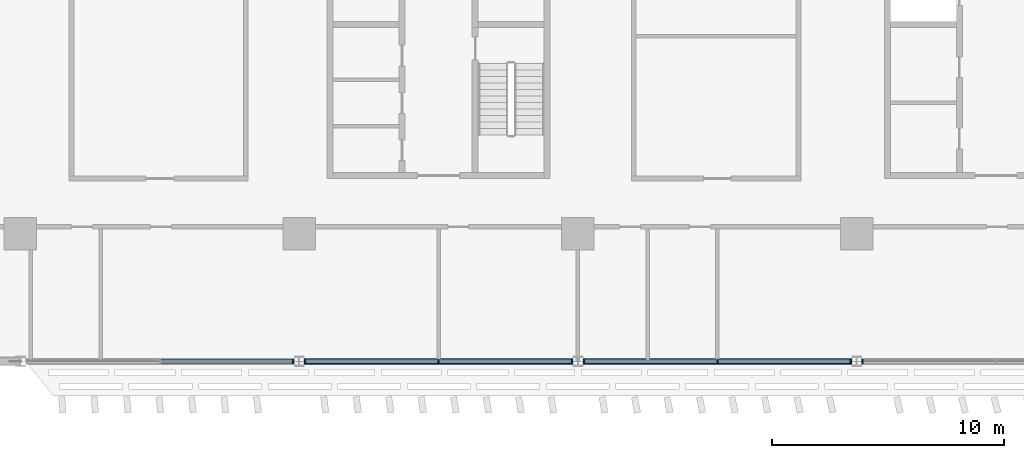
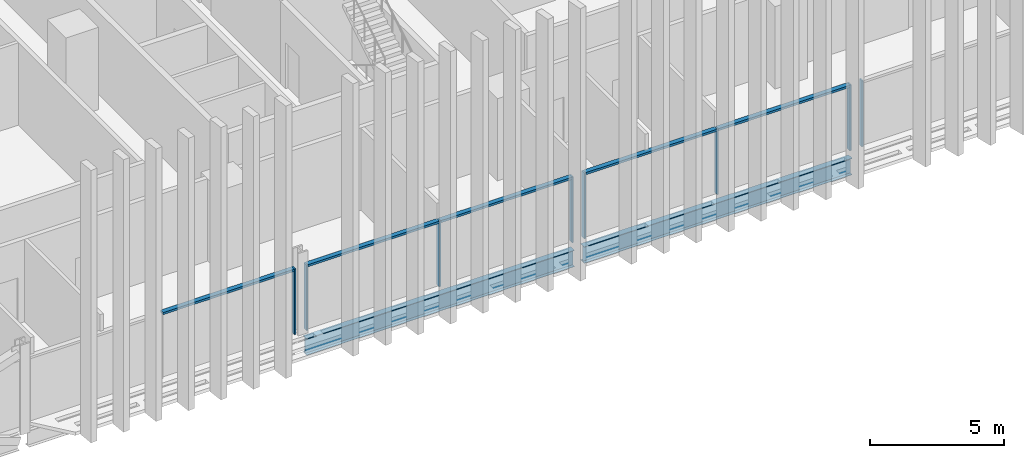
# One storey, part 5 of 31: 13 members, 2 beams, 4 elements without a shape of their own.
"""IFC4 building model written with IfcOpenShell, lengths in metres."""

from ifc_helpers import new_model, si_unit, direction, frame, origin, origin_2d, place, context, subcontext, project, spatial, rectangle, i_section, extrude, material, material_profile, profile_set, type_object, element, aggregate, save


model = new_model("IFC4")

# Units and contexts
model_context = context("Model", 3, precision=1e-05, world=origin(), true_north=direction((0.0, 1.0)))
body_context = subcontext(model_context, "Body", "Model", "MODEL_VIEW")
ifc_project = project(units=[si_unit("LENGTHUNIT", "METRE"), si_unit("AREAUNIT", "SQUARE_METRE"), si_unit("VOLUMEUNIT", "CUBIC_METRE"), si_unit("PLANEANGLEUNIT", "RADIAN"), si_unit("MASSUNIT", "GRAM", prefix="KILO")], contexts=[model_context])

# Site, building, storey
site_placement = place(None, origin())
site = spatial("IfcSite", under=ifc_project, at=site_placement, CompositionType="ELEMENT")
building_placement = place(site_placement, origin())
building = spatial("IfcBuilding", under=site, at=building_placement, Name="Mahtab Terrace Research Tower", CompositionType="ELEMENT")
storey_placement = place(building_placement, frame((0.0, 0.0, 101.199951171875)))
storey = spatial("IfcBuildingStorey", under=building, at=storey_placement, Name="L23", CompositionType="ELEMENT", Elevation=101.199951171875)

# Curtain wall, member
ifc_material_1 = material(Name="Laboratory ribbon curtain wall")
curtain_wall_type = type_object("IfcCurtainWallType", Name="Laboratory ribbon curtain wall", PredefinedType="NOTDEFINED", material=ifc_material_1)
curtain_wall_1_placement = place(storey_placement, origin())
curtain_wall_1 = element("IfcCurtainWall", 1, at=curtain_wall_1_placement, inside=storey, type_object=curtain_wall_type, Name="EN.L23.13.25", PredefinedType="NOTDEFINED")
ifc_material_2 = material(Name="Natural anodised aluminium", Category="aluminium")
ifc_material_profile_1 = material_profile(ifc_material_2, rectangle(XDim=0.199951171875, YDim=0.06494140625, at=origin_2d()), Name="MULLION 65x200")
ifc_profile_set_1 = profile_set([ifc_material_profile_1], Name="Natural anodised aluminium")
member_type_1 = type_object("IfcMemberType", Name="Laboratory ribbon curtain wall mullion", PredefinedType="MULLION", material=ifc_profile_set_1)
member_1_placement = place(storey_placement, frame((-6.260498046875, -17.0, 0.0), z_axis=(0.0, 0.0, 1.0), x_axis=(0.0, 1.0, 0.0)))
member_1 = element("IfcMember", 2, at=member_1_placement, type_object=member_type_1, Name="CWL-3 mullion 3", PredefinedType="MULLION", context=body_context, shape_type="SweptSolid", body=[
    extrude(rectangle(XDim=0.199951171875, YDim=0.06494140625, at=origin_2d()), origin(), (0.0, 0.0, 1.0), 3.003173828125),
])

# Curtain wall, members
curtain_wall_2_placement = place(storey_placement, origin())
curtain_wall_2 = element("IfcCurtainWall", 3, at=curtain_wall_2_placement, inside=storey, type_object=curtain_wall_type, Name="EN.L23.13.26", PredefinedType="NOTDEFINED")
member_2_placement = place(storey_placement, frame((-5.739501953125, -17.0, 0.0), z_axis=(0.0, 0.0, 1.0), x_axis=(0.0, 1.0, 0.0)))
member_2 = element("IfcMember", 4, at=member_2_placement, type_object=member_type_1, Name="CWL-3 mullion 1", PredefinedType="MULLION", context=body_context, shape_type="SweptSolid", body=[
    extrude(rectangle(XDim=0.199951171875, YDim=0.06494140625, at=origin_2d()), origin(), (0.0, 0.0, 1.0), 3.003173828125),
])
member_3_placement = place(storey_placement, frame((0.0, -17.0, 0.0), z_axis=(0.0, 0.0, 1.0), x_axis=(0.0, 1.0, 0.0)))
member_3 = element("IfcMember", 5, at=member_3_placement, type_object=member_type_1, Name="CWL-3 mullion 2", PredefinedType="MULLION", context=body_context, shape_type="SweptSolid", body=[
    extrude(rectangle(XDim=0.199951171875, YDim=0.06494140625, at=origin_2d()), origin(), (0.0, 0.0, 1.0), 3.003173828125),
])
member_4_placement = place(storey_placement, frame((5.739501953125, -17.0, 0.0), z_axis=(0.0, 0.0, 1.0), x_axis=(0.0, 1.0, 0.0)))
member_4 = element("IfcMember", 6, at=member_4_placement, type_object=member_type_1, Name="CWL-3 mullion 3", PredefinedType="MULLION", context=body_context, shape_type="SweptSolid", body=[
    extrude(rectangle(XDim=0.199951171875, YDim=0.06494140625, at=origin_2d()), origin(), (0.0, 0.0, 1.0), 3.003173828125),
])

curtain_wall_3_placement = place(storey_placement, origin())
curtain_wall_3 = element("IfcCurtainWall", 7, at=curtain_wall_3_placement, inside=storey, type_object=curtain_wall_type, Name="EN.L23.13.27", PredefinedType="NOTDEFINED")
member_5_placement = place(storey_placement, frame((6.260498046875, -17.0, 0.0), z_axis=(0.0, 0.0, 1.0), x_axis=(0.0, 1.0, 0.0)))
member_5 = element("IfcMember", 8, at=member_5_placement, type_object=member_type_1, Name="CWL-3 mullion 1", PredefinedType="MULLION", context=body_context, shape_type="SweptSolid", body=[
    extrude(rectangle(XDim=0.199951171875, YDim=0.06494140625, at=origin_2d()), origin(), (0.0, 0.0, 1.0), 3.003173828125),
])
member_6_placement = place(storey_placement, frame((12.0, -17.0, 0.0), z_axis=(0.0, 0.0, 1.0), x_axis=(0.0, 1.0, 0.0)))
member_6 = element("IfcMember", 9, at=member_6_placement, type_object=member_type_1, Name="CWL-3 mullion 2", PredefinedType="MULLION", context=body_context, shape_type="SweptSolid", body=[
    extrude(rectangle(XDim=0.199951171875, YDim=0.06494140625, at=origin_2d()), origin(), (0.0, 0.0, 1.0), 3.003173828125),
])
member_7_placement = place(storey_placement, frame((17.739501953125, -17.0, 0.0), z_axis=(0.0, 0.0, 1.0), x_axis=(0.0, 1.0, 0.0)))
member_7 = element("IfcMember", 10, at=member_7_placement, type_object=member_type_1, Name="CWL-3 mullion 3", PredefinedType="MULLION", context=body_context, shape_type="SweptSolid", body=[
    extrude(rectangle(XDim=0.199951171875, YDim=0.06494140625, at=origin_2d()), origin(), (0.0, 0.0, 1.0), 3.003173828125),
])

# Curtain wall, member
curtain_wall_4_placement = place(storey_placement, origin())
curtain_wall_4 = element("IfcCurtainWall", 11, at=curtain_wall_4_placement, inside=storey, type_object=curtain_wall_type, Name="EN.L23.13.28", PredefinedType="NOTDEFINED")
member_8_placement = place(storey_placement, frame((18.260498046875, -17.0, 0.0), z_axis=(0.0, 0.0, 1.0), x_axis=(0.0, 1.0, 0.0)))
member_8 = element("IfcMember", 12, at=member_8_placement, type_object=member_type_1, Name="CWL-3 mullion 1", PredefinedType="MULLION", context=body_context, shape_type="SweptSolid", body=[
    extrude(rectangle(XDim=0.199951171875, YDim=0.06494140625, at=origin_2d()), origin(), (0.0, 0.0, 1.0), 3.003173828125),
])
aggregate(curtain_wall_4, [member_8])

# Member
ifc_material_profile_2 = material_profile(ifc_material_2, rectangle(XDim=0.199951171875, YDim=0.10009765625, at=origin_2d()), Name="TRANSOM 100x200")
ifc_profile_set_2 = profile_set([ifc_material_profile_2], Name="Natural anodised aluminium")
member_type_2 = type_object("IfcMemberType", Name="Laboratory ribbon curtain wall transom", PredefinedType="USERDEFINED", material=ifc_profile_set_2)
member_9_placement = place(storey_placement, frame((-11.967529296875, -17.0, 2.953125), z_axis=(1.0, 0.0, 0.0), x_axis=(0.0, 1.0, 0.0)))
member_9 = element("IfcMember", 13, at=member_9_placement, type_object=member_type_2, Name="CWL-3 transom 2", ObjectType="TRANSOM", PredefinedType="USERDEFINED", context=body_context, shape_type="SweptSolid", body=[
    extrude(rectangle(XDim=0.199951171875, YDim=0.10009765625, at=origin_2d()), origin(), (0.0, 0.0, 1.0), 5.674560546875),
])

aggregate(curtain_wall_1, [member_1, member_9])

member_10_placement = place(storey_placement, frame((-5.70703125, -17.0, 2.953125), z_axis=(1.0, 0.0, 0.0), x_axis=(0.0, 1.0, 0.0)))
member_10 = element("IfcMember", 14, at=member_10_placement, type_object=member_type_2, Name="CWL-3 transom 1", ObjectType="TRANSOM", PredefinedType="USERDEFINED", context=body_context, shape_type="SweptSolid", body=[
    extrude(rectangle(XDim=0.199951171875, YDim=0.10009765625, at=origin_2d()), origin(), (0.0, 0.0, 1.0), 5.674560546875),
])

member_11_placement = place(storey_placement, frame((0.032470703125, -17.0, 2.953125), z_axis=(1.0, 0.0, 0.0), x_axis=(0.0, 1.0, 0.0)))
member_11 = element("IfcMember", 15, at=member_11_placement, type_object=member_type_2, Name="CWL-3 transom 2", ObjectType="TRANSOM", PredefinedType="USERDEFINED", context=body_context, shape_type="SweptSolid", body=[
    extrude(rectangle(XDim=0.199951171875, YDim=0.10009765625, at=origin_2d()), origin(), (0.0, 0.0, 1.0), 5.674560546875),
])

aggregate(curtain_wall_2, [member_2, member_3, member_4, member_10, member_11])

member_12_placement = place(storey_placement, frame((6.29296875, -17.0, 2.953125), z_axis=(1.0, 0.0, 0.0), x_axis=(0.0, 1.0, 0.0)))
member_12 = element("IfcMember", 16, at=member_12_placement, type_object=member_type_2, Name="CWL-3 transom 1", ObjectType="TRANSOM", PredefinedType="USERDEFINED", context=body_context, shape_type="SweptSolid", body=[
    extrude(rectangle(XDim=0.199951171875, YDim=0.10009765625, at=origin_2d()), origin(), (0.0, 0.0, 1.0), 5.674560546875),
])

member_13_placement = place(storey_placement, frame((12.032470703125, -17.0, 2.953125), z_axis=(1.0, 0.0, 0.0), x_axis=(0.0, 1.0, 0.0)))
member_13 = element("IfcMember", 17, at=member_13_placement, type_object=member_type_2, Name="CWL-3 transom 2", ObjectType="TRANSOM", PredefinedType="USERDEFINED", context=body_context, shape_type="SweptSolid", body=[
    extrude(rectangle(XDim=0.199951171875, YDim=0.10009765625, at=origin_2d()), origin(), (0.0, 0.0, 1.0), 5.674560546875),
])

aggregate(curtain_wall_3, [member_5, member_6, member_7, member_12, member_13])

# Beams
ifc_material_3 = material(Name="Steel ASTM A992 Gr 50", Category="steel")
ifc_material_profile_3 = material_profile(ifc_material_3, i_section(OverallWidth=0.2666015625, OverallDepth=0.7568359375, WebThickness=0.013916015625, FlangeThickness=0.019287109375, at=origin_2d()), Name="W30X108")
ifc_profile_set_3 = profile_set([ifc_material_profile_3], Name="Steel ASTM A992 Gr 50")
beam_type = type_object("IfcBeamType", Name="W30x108 beam BS30108", PredefinedType="BEAM", material=ifc_profile_set_3)
for number, where, z_axis, x_axis, name in (
    (18, (-5.79052734375, -17.0, -0.718505859375), (1.0, 0.0, 0.0), (0.0, 1.0, 0.0), "Spandrel beam L23 15"),
    (19, (6.20947265625, -17.0, -0.718505859375), (1.0, 0.0, 0.0), (0.0, 1.0, 0.0), "Spandrel beam L23 16"),
):
    element("IfcBeam", number, at=place(storey_placement, frame(where, z_axis=z_axis, x_axis=x_axis)), inside=storey, type_object=beam_type, Name=name, PredefinedType="BEAM", context=body_context, shape_type="SweptSolid", body=[
        extrude(i_section(OverallWidth=0.2666015625, OverallDepth=0.7568359375, WebThickness=0.013916015625, FlangeThickness=0.019287109375, at=origin_2d()), origin(), (0.0, 0.0, 1.0), 11.5810546875),
    ])

save(model, "model.ifc")
